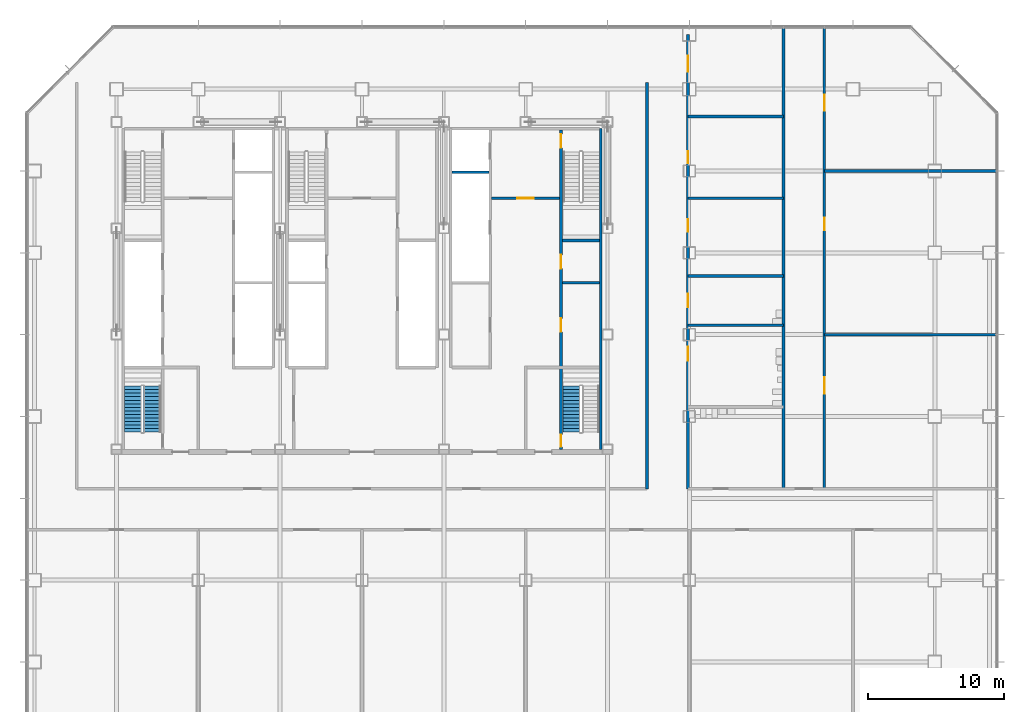
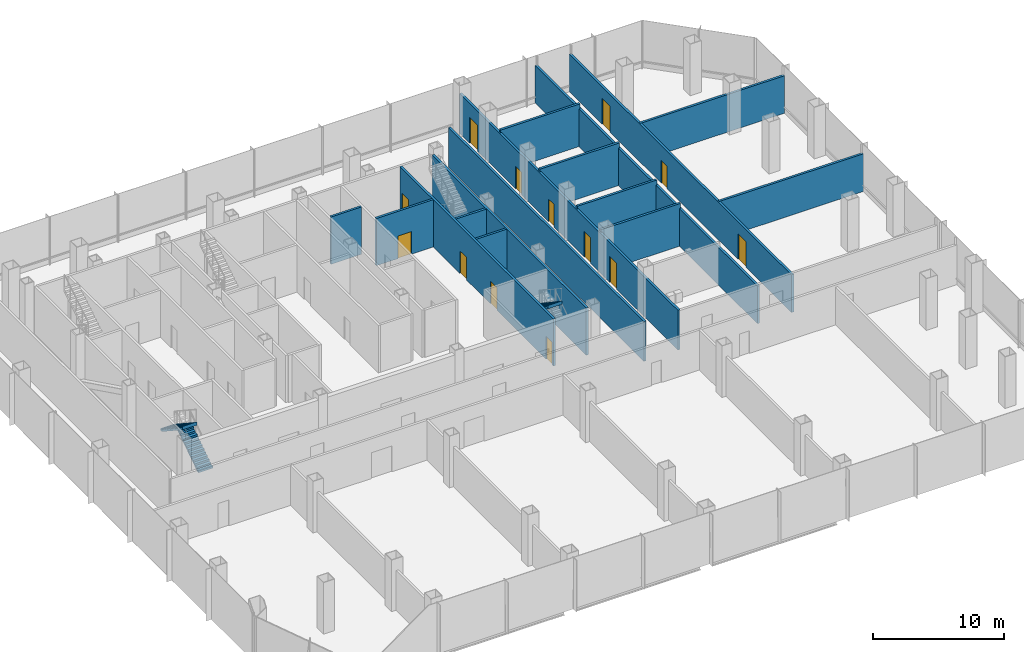
# One storey, part 25 of 33: 16 walls, 13 doors, 3 stair flights, 13 openings, 2 elements without a shape of their own.
"""IFC4 building model written with IfcOpenShell, lengths in metres."""

from ifc_helpers import new_model, si_unit, direction, frame, frame_2d, origin, place, context, subcontext, project, spatial, polyline, rectangle, outline, extrude, material, layer, layer_set, type_object, element, fill, aggregate, save


model = new_model("IFC4")

# Units and contexts
model_context = context("Model", 3, precision=1e-05, world=origin(), true_north=direction((0.0, 1.0)))
body_context = subcontext(model_context, "Body", "Model", "MODEL_VIEW")
ifc_project = project(units=[si_unit("LENGTHUNIT", "METRE"), si_unit("AREAUNIT", "SQUARE_METRE"), si_unit("VOLUMEUNIT", "CUBIC_METRE"), si_unit("PLANEANGLEUNIT", "RADIAN"), si_unit("MASSUNIT", "GRAM", prefix="KILO")], contexts=[model_context])

# Site, building, storey
site_placement = place(None, origin())
site = spatial("IfcSite", under=ifc_project, at=site_placement, CompositionType="ELEMENT")
building_placement = place(site_placement, origin())
building = spatial("IfcBuilding", under=site, at=building_placement, Name="Sorahane Residences", CompositionType="ELEMENT")
storey_placement = place(building_placement, frame((0.0, 0.0, 34.800048828125)))
storey = spatial("IfcBuildingStorey", under=building, at=storey_placement, Name="L05", CompositionType="ELEMENT", Elevation=34.800048828125)

# Walls
ifc_material_1 = material(Name="Concrete C30", Category="concrete")
ifc_layer_1 = layer(ifc_material_1, 0.199951171875)
ifc_layer_set_1 = layer_set([ifc_layer_1], Name="Core face wall 200 EI 180")
wall_type_1 = type_object("IfcWallType", Name="Core face wall 200 EI 180", PredefinedType="SOLIDWALL", material=ifc_layer_set_1)
wall_1_placement = place(storey_placement, frame((41.5, 21.60009765625, 0.0), z_axis=(0.0, 0.0, 1.0), x_axis=(0.0, 1.0, 0.0)))
element("IfcWall", 1, at=wall_1_placement, inside=storey, type_object=wall_type_1, Name="L05 core face wall", PredefinedType="SOLIDWALL", context=body_context, shape_type="SweptSolid", body=[
    extrude(rectangle(XDim=23.5, YDim=0.199951171875, at=frame_2d((11.75, 0.0))), origin(), (0.0, 0.0, 1.0), 4.39990234375),
])
ifc_material_2 = material(Name="Concrete blockwork C20 wall", Category="masonry")
ifc_layer_2 = layer(ifc_material_2, 0.199951171875)
ifc_layer_set_2 = layer_set([ifc_layer_2], Name="Corridor wall 200 EI 120")
wall_type_2 = type_object("IfcWallType", Name="Corridor wall 200 EI 120", PredefinedType="SOLIDWALL", material=ifc_layer_set_2)
wall_2_placement = place(storey_placement, frame((44.89990234375, 18.699951171875, 0.0), z_axis=(0.0, 0.0, 1.0), x_axis=(0.0, 1.0, 0.0)))
element("IfcWall", 2, at=wall_2_placement, inside=storey, type_object=wall_type_2, Name="L05 corridor wall", PredefinedType="SOLIDWALL", context=body_context, shape_type="SweptSolid", body=[
    extrude(rectangle(XDim=29.800048828125, YDim=0.199951171875, at=frame_2d((14.89990234375, 0.0))), origin(), (0.0, 0.0, 1.0), 3.699951171875),
])

# Wall, openings, doors
wall_3_placement = place(storey_placement, frame((47.89990234375, 18.699951171875, 0.0), z_axis=(0.0, 0.0, 1.0), x_axis=(0.0, 1.0, 0.0)))
wall_3 = element("IfcWall", 3, at=wall_3_placement, inside=storey, type_object=wall_type_2, Name="L05 corridor wall", PredefinedType="SOLIDWALL", context=body_context, shape_type="SweptSolid", body=[
    extrude(rectangle(XDim=33.300048828125, YDim=0.199951171875, at=frame_2d((16.64990234375, 0.0))), origin(), (0.0, 0.0, 1.0), 3.699951171875),
])
opening_1_placement = place(wall_3_placement, frame((9.39990234375, 0.0, 0.0)))
opening_1 = element("IfcOpeningElement", 4, at=opening_1_placement, cuts=wall_3, Name="Opening L05-08", PredefinedType="OPENING", context=body_context, shape_type="SweptSolid", body=[
    extrude(rectangle(XDim=1.0, YDim=2.39990234375, at=frame_2d((0.5, 1.199951171875))), frame((0.0, 0.10986328125, 0.0), z_axis=(0.0, -1.0, 0.0), x_axis=(1.0, 0.0, 0.0)), (0.0, 0.0, 1.0), 0.219970703125),
])
opening_2_placement = place(wall_3_placement, frame((13.300048828125, 0.0, 0.0)))
opening_2 = element("IfcOpeningElement", 5, at=opening_2_placement, cuts=wall_3, Name="Opening L05-09", PredefinedType="OPENING", context=body_context, shape_type="SweptSolid", body=[
    extrude(rectangle(XDim=1.0, YDim=2.39990234375, at=frame_2d((0.5, 1.199951171875))), frame((0.0, 0.10986328125, 0.0), z_axis=(0.0, -1.0, 0.0), x_axis=(1.0, 0.0, 0.0)), (0.0, 0.0, 1.0), 0.219970703125),
])
opening_3_placement = place(wall_3_placement, frame((18.860107421875, 0.0, 0.0)))
opening_3 = element("IfcOpeningElement", 6, at=opening_3_placement, cuts=wall_3, Name="Opening L05-10", PredefinedType="OPENING", context=body_context, shape_type="SweptSolid", body=[
    extrude(rectangle(XDim=0.89990234375, YDim=2.10009765625, at=frame_2d((0.449951171875, 1.050048828125))), frame((0.0, 0.10986328125, 0.0), z_axis=(0.0, -1.0, 0.0), x_axis=(1.0, 0.0, 0.0)), (0.0, 0.0, 1.0), 0.219970703125),
])
opening_4_placement = place(wall_3_placement, frame((23.85009765625, 0.0, 0.0)))
opening_4 = element("IfcOpeningElement", 7, at=opening_4_placement, cuts=wall_3, Name="Opening L05-11", PredefinedType="OPENING", context=body_context, shape_type="SweptSolid", body=[
    extrude(rectangle(XDim=0.89990234375, YDim=2.10009765625, at=frame_2d((0.449951171875, 1.050048828125))), frame((0.0, 0.10986328125, 0.0), z_axis=(0.0, -1.0, 0.0), x_axis=(1.0, 0.0, 0.0)), (0.0, 0.0, 1.0), 0.219970703125),
])
opening_5_placement = place(wall_3_placement, frame((30.56005859375, 0.0, 0.0)))
opening_5 = element("IfcOpeningElement", 8, at=opening_5_placement, cuts=wall_3, Name="Opening L05-12", PredefinedType="OPENING", context=body_context, shape_type="SweptSolid", body=[
    extrude(rectangle(XDim=1.199951171875, YDim=2.39990234375, at=frame_2d((0.60009765625, 1.199951171875))), frame((0.0, 0.10986328125, 0.0), z_axis=(0.0, -1.0, 0.0), x_axis=(1.0, 0.0, 0.0)), (0.0, 0.0, 1.0), 0.219970703125),
])
ifc_material_3 = material(Name="Steel", Category="steel")
door_type_1 = type_object("IfcDoorType", Name="Plant door 1200x2400 FD60", OperationType="NOTDEFINED", PredefinedType="DOOR", material=ifc_material_3)
door_1_placement = place(opening_5_placement, frame((1.199951171875, 0.0, 0.0), z_axis=(0.0, 0.0, 1.0), x_axis=(-1.0, 0.0, 0.0)))
door_1 = element("IfcDoor", 9, at=door_1_placement, inside=storey, type_object=door_type_1, Name="Plant door L05-12", OperationType="SINGLE_SWING_LEFT", OverallHeight=2.39990234375, OverallWidth=1.199951171875, PredefinedType="DOOR", context=body_context, shape_type="SweptSolid", body=[
    extrude(rectangle(XDim=1.199951171875, YDim=2.39990234375, at=frame_2d((0.60009765625, 1.199951171875))), frame((0.0, 0.02490234375, 0.0), z_axis=(0.0, -1.0, 0.0), x_axis=(1.0, 0.0, 0.0)), (0.0, 0.0, 1.0), 0.050048828125),
])
fill(opening_5, door_1)
ifc_material_4 = material(Name="Timber veneered fire door", Category="wood")
door_type_2 = type_object("IfcDoorType", Name="Room door 1000x2400 FD30", OperationType="NOTDEFINED", PredefinedType="DOOR", material=ifc_material_4)
door_2_placement = place(opening_1_placement, frame((1.0, 0.0, 0.0), z_axis=(0.0, 0.0, 1.0), x_axis=(-1.0, 0.0, 0.0)))
door_2 = element("IfcDoor", 10, at=door_2_placement, inside=storey, type_object=door_type_2, Name="Room door L05-08", OperationType="SINGLE_SWING_RIGHT", OverallHeight=2.39990234375, OverallWidth=1.0, PredefinedType="DOOR", context=body_context, shape_type="SweptSolid", body=[
    extrude(rectangle(XDim=1.0, YDim=2.39990234375, at=frame_2d((0.5, 1.199951171875))), frame((0.0, 0.02490234375, 0.0), z_axis=(0.0, -1.0, 0.0), x_axis=(1.0, 0.0, 0.0)), (0.0, 0.0, 1.0), 0.050048828125),
])
fill(opening_1, door_2)
door_3_placement = place(opening_2_placement, frame((1.0, 0.0, 0.0), z_axis=(0.0, 0.0, 1.0), x_axis=(-1.0, 0.0, 0.0)))
door_3 = element("IfcDoor", 11, at=door_3_placement, inside=storey, type_object=door_type_2, Name="Room door L05-09", OperationType="SINGLE_SWING_RIGHT", OverallHeight=2.39990234375, OverallWidth=1.0, PredefinedType="DOOR", context=body_context, shape_type="SweptSolid", body=[
    extrude(rectangle(XDim=1.0, YDim=2.39990234375, at=frame_2d((0.5, 1.199951171875))), frame((0.0, 0.02490234375, 0.0), z_axis=(0.0, -1.0, 0.0), x_axis=(1.0, 0.0, 0.0)), (0.0, 0.0, 1.0), 0.050048828125),
])
fill(opening_2, door_3)
ifc_material_5 = material(Name="Timber veneered fire door", Category="wood")
door_type_3 = type_object("IfcDoorType", Name="Service door 900x2100 FD30", OperationType="NOTDEFINED", PredefinedType="DOOR", material=ifc_material_5)
door_4_placement = place(opening_3_placement, frame((0.89990234375, 0.0, 0.0), z_axis=(0.0, 0.0, 1.0), x_axis=(-1.0, 0.0, 0.0)))
door_4 = element("IfcDoor", 12, at=door_4_placement, inside=storey, type_object=door_type_3, Name="Service door L05-10", OperationType="SINGLE_SWING_RIGHT", OverallHeight=2.10009765625, OverallWidth=0.89990234375, PredefinedType="DOOR", context=body_context, shape_type="SweptSolid", body=[
    extrude(rectangle(XDim=0.89990234375, YDim=2.10009765625, at=frame_2d((0.449951171875, 1.050048828125))), frame((0.0, 0.02490234375, 0.0), z_axis=(0.0, -1.0, 0.0), x_axis=(1.0, 0.0, 0.0)), (0.0, 0.0, 1.0), 0.050048828125),
])
fill(opening_3, door_4)
door_5_placement = place(opening_4_placement, frame((0.89990234375, 0.0, 0.0), z_axis=(0.0, 0.0, 1.0), x_axis=(-1.0, 0.0, 0.0)))
door_5 = element("IfcDoor", 13, at=door_5_placement, inside=storey, type_object=door_type_3, Name="Service door L05-11", OperationType="SINGLE_SWING_LEFT", OverallHeight=2.10009765625, OverallWidth=0.89990234375, PredefinedType="DOOR", context=body_context, shape_type="SweptSolid", body=[
    extrude(rectangle(XDim=0.89990234375, YDim=2.10009765625, at=frame_2d((0.449951171875, 1.050048828125))), frame((0.0, 0.02490234375, 0.0), z_axis=(0.0, -1.0, 0.0), x_axis=(1.0, 0.0, 0.0)), (0.0, 0.0, 1.0), 0.050048828125),
])
fill(opening_4, door_5)

# Wall
wall_4_placement = place(storey_placement, frame((54.89990234375, 18.699951171875, 0.0), z_axis=(0.0, 0.0, 1.0), x_axis=(0.0, 1.0, 0.0)))
element("IfcWall", 14, at=wall_4_placement, inside=storey, type_object=wall_type_2, Name="L05 corridor wall", PredefinedType="SOLIDWALL", context=body_context, shape_type="SweptSolid", body=[
    extrude(rectangle(XDim=33.900146484375, YDim=0.199951171875, at=frame_2d((16.9501953125, 0.0))), origin(), (0.0, 0.0, 1.0), 3.5),
])

# Wall, openings, doors
wall_5_placement = place(storey_placement, frame((57.89990234375, 18.699951171875, 0.0), z_axis=(0.0, 0.0, 1.0), x_axis=(0.0, 1.0, 0.0)))
wall_5 = element("IfcWall", 15, at=wall_5_placement, inside=storey, type_object=wall_type_2, Name="L05 corridor wall", PredefinedType="SOLIDWALL", context=body_context, shape_type="SweptSolid", body=[
    extrude(rectangle(XDim=33.900146484375, YDim=0.199951171875, at=frame_2d((16.9501953125, 0.0))), origin(), (0.0, 0.0, 1.0), 3.5),
])
opening_6_placement = place(wall_5_placement, frame((6.969970703125, 0.0, 0.0)))
opening_6 = element("IfcOpeningElement", 16, at=opening_6_placement, cuts=wall_5, Name="Opening L05-14", PredefinedType="OPENING", context=body_context, shape_type="SweptSolid", body=[
    extrude(rectangle(XDim=1.199951171875, YDim=2.39990234375, at=frame_2d((0.60009765625, 1.199951171875))), frame((0.0, 0.10986328125, 0.0), z_axis=(0.0, -1.0, 0.0), x_axis=(1.0, 0.0, 0.0)), (0.0, 0.0, 1.0), 0.219970703125),
])
opening_7_placement = place(wall_5_placement, frame((18.969970703125, 0.0, 0.0)))
opening_7 = element("IfcOpeningElement", 17, at=opening_7_placement, cuts=wall_5, Name="Opening L05-15", PredefinedType="OPENING", context=body_context, shape_type="SweptSolid", body=[
    extrude(rectangle(XDim=0.89990234375, YDim=2.10009765625, at=frame_2d((0.449951171875, 1.050048828125))), frame((0.0, 0.10986328125, 0.0), z_axis=(0.0, -1.0, 0.0), x_axis=(1.0, 0.0, 0.0)), (0.0, 0.0, 1.0), 0.219970703125),
])
opening_8_placement = place(wall_5_placement, frame((27.699951171875, 0.0, 0.0)))
opening_8 = element("IfcOpeningElement", 18, at=opening_8_placement, cuts=wall_5, Name="Opening L05-16", PredefinedType="OPENING", context=body_context, shape_type="SweptSolid", body=[
    extrude(rectangle(XDim=1.199951171875, YDim=2.39990234375, at=frame_2d((0.60009765625, 1.199951171875))), frame((0.0, 0.10986328125, 0.0), z_axis=(0.0, -1.0, 0.0), x_axis=(1.0, 0.0, 0.0)), (0.0, 0.0, 1.0), 0.219970703125),
])
door_6_placement = place(opening_6_placement, frame((1.199951171875, 0.0, 0.0), z_axis=(0.0, 0.0, 1.0), x_axis=(-1.0, 0.0, 0.0)))
door_6 = element("IfcDoor", 19, at=door_6_placement, inside=storey, type_object=door_type_1, Name="Plant door L05-14", OperationType="SINGLE_SWING_RIGHT", OverallHeight=2.39990234375, OverallWidth=1.199951171875, PredefinedType="DOOR", context=body_context, shape_type="SweptSolid", body=[
    extrude(rectangle(XDim=1.199951171875, YDim=2.39990234375, at=frame_2d((0.60009765625, 1.199951171875))), frame((0.0, 0.02490234375, 0.0), z_axis=(0.0, -1.0, 0.0), x_axis=(1.0, 0.0, 0.0)), (0.0, 0.0, 1.0), 0.050048828125),
])
fill(opening_6, door_6)
door_7_placement = place(opening_8_placement, frame((1.199951171875, 0.0, 0.0), z_axis=(0.0, 0.0, 1.0), x_axis=(-1.0, 0.0, 0.0)))
door_7 = element("IfcDoor", 20, at=door_7_placement, inside=storey, type_object=door_type_1, Name="Plant door L05-16", OperationType="SINGLE_SWING_LEFT", OverallHeight=2.39990234375, OverallWidth=1.199951171875, PredefinedType="DOOR", context=body_context, shape_type="SweptSolid", body=[
    extrude(rectangle(XDim=1.199951171875, YDim=2.39990234375, at=frame_2d((0.60009765625, 1.199951171875))), frame((0.0, 0.02490234375, 0.0), z_axis=(0.0, -1.0, 0.0), x_axis=(1.0, 0.0, 0.0)), (0.0, 0.0, 1.0), 0.050048828125),
])
fill(opening_8, door_7)
door_8_placement = place(opening_7_placement, frame((0.89990234375, 0.0, 0.0), z_axis=(0.0, 0.0, 1.0), x_axis=(-1.0, 0.0, 0.0)))
door_8 = element("IfcDoor", 21, at=door_8_placement, inside=storey, type_object=door_type_3, Name="Service door L05-15", OperationType="SINGLE_SWING_RIGHT", OverallHeight=2.10009765625, OverallWidth=0.89990234375, PredefinedType="DOOR", context=body_context, shape_type="SweptSolid", body=[
    extrude(rectangle(XDim=0.89990234375, YDim=2.10009765625, at=frame_2d((0.449951171875, 1.050048828125))), frame((0.0, 0.02490234375, 0.0), z_axis=(0.0, -1.0, 0.0), x_axis=(1.0, 0.0, 0.0)), (0.0, 0.0, 1.0), 0.050048828125),
])
fill(opening_7, door_8)

# Walls
wall_6_placement = place(storey_placement, frame((57.89990234375, 30.0, 0.0), z_axis=(0.0, 0.0, 1.0), x_axis=(1.0, 0.0, 0.0)))
element("IfcWall", 22, at=wall_6_placement, inside=storey, type_object=wall_type_2, Name="L05 corridor wall", PredefinedType="SOLIDWALL", context=body_context, shape_type="SweptSolid", body=[
    extrude(rectangle(XDim=12.7001953125, YDim=0.199951171875, at=frame_2d((6.35009765625, 0.0))), origin(), (0.0, 0.0, 1.0), 3.5),
])
for number, where, z_axis, x_axis, name in (
    (23, (47.89990234375, 30.699951171875, 0.0), (0.0, 0.0, 1.0), (1.0, 0.0, 0.0), "L05 corridor wall"),
    (24, (47.89990234375, 34.300048828125, 0.0), (0.0, 0.0, 1.0), (1.0, 0.0, 0.0), "L05 corridor wall"),
    (25, (47.89990234375, 40.0, 0.0), (0.0, 0.0, 1.0), (1.0, 0.0, 0.0), "L05 corridor wall"),
):
    element("IfcWall", number, at=place(storey_placement, frame(where, z_axis=z_axis, x_axis=x_axis)), inside=storey, type_object=wall_type_2, Name=name, PredefinedType="SOLIDWALL", context=body_context, shape_type="SweptSolid", body=[
        extrude(rectangle(XDim=7.0, YDim=0.199951171875, at=frame_2d((3.5, 0.0))), origin(), (0.0, 0.0, 1.0), 3.949951171875),
    ])
wall_7_placement = place(storey_placement, frame((57.89990234375, 42.0, 0.0), z_axis=(0.0, 0.0, 1.0), x_axis=(1.0, 0.0, 0.0)))
element("IfcWall", 26, at=wall_7_placement, inside=storey, type_object=wall_type_2, Name="L05 corridor wall", PredefinedType="SOLIDWALL", context=body_context, shape_type="SweptSolid", body=[
    extrude(rectangle(XDim=12.7001953125, YDim=0.199951171875, at=frame_2d((6.35009765625, 0.0))), origin(), (0.0, 0.0, 1.0), 3.5),
])
wall_8_placement = place(storey_placement, frame((47.89990234375, 46.0, 0.0), z_axis=(0.0, 0.0, 1.0), x_axis=(1.0, 0.0, 0.0)))
element("IfcWall", 27, at=wall_8_placement, inside=storey, type_object=wall_type_2, Name="L05 corridor wall", PredefinedType="SOLIDWALL", context=body_context, shape_type="SweptSolid", body=[
    extrude(rectangle(XDim=7.0, YDim=0.199951171875, at=frame_2d((3.5, 0.0))), origin(), (0.0, 0.0, 1.0), 3.949951171875),
])

# Wall, opening, door
ifc_material_6 = material(Name="Concrete C30", Category="concrete")
ifc_layer_3 = layer(ifc_material_6, 0.199951171875)
ifc_layer_set_3 = layer_set([ifc_layer_3], Name="Front room wall 200 EI 120")
wall_type_3 = type_object("IfcWallType", Name="Front room wall 200 EI 120", PredefinedType="PARTITIONING", material=ifc_layer_set_3)
wall_9_placement = place(storey_placement, frame((33.5, 40.0, 0.0), z_axis=(0.0, 0.0, 1.0), x_axis=(1.0, 0.0, 0.0)))
wall_9 = element("IfcWall", 28, at=wall_9_placement, inside=storey, type_object=wall_type_3, Name="L05 front room wall", PredefinedType="PARTITIONING", context=body_context, shape_type="SweptSolid", body=[
    extrude(rectangle(XDim=5.0, YDim=0.199951171875, at=frame_2d((2.5, 0.0))), origin(), (0.0, 0.0, 1.0), 4.39990234375),
])
opening_9_placement = place(wall_9_placement, frame((1.89990234375, 0.0, 0.0)))
opening_9 = element("IfcOpeningElement", 29, at=opening_9_placement, cuts=wall_9, Name="Opening L05-C09", PredefinedType="OPENING", context=body_context, shape_type="SweptSolid", body=[
    extrude(rectangle(XDim=1.199951171875, YDim=2.10009765625, at=frame_2d((0.60009765625, 1.050048828125))), frame((0.0, 0.10986328125, 0.0), z_axis=(0.0, -1.0, 0.0), x_axis=(1.0, 0.0, 0.0)), (0.0, 0.0, 1.0), 0.219970703125),
])
ifc_material_7 = material(Name="Steel", Category="steel")
door_type_4 = type_object("IfcDoorType", Name="Front room door 1200x2100 FD120", OperationType="NOTDEFINED", PredefinedType="DOOR", material=ifc_material_7)
door_9_placement = place(opening_9_placement, frame((1.199951171875, 0.0, 0.0), z_axis=(0.0, 0.0, 1.0), x_axis=(-1.0, 0.0, 0.0)))
door_9 = element("IfcDoor", 30, at=door_9_placement, inside=storey, type_object=door_type_4, Name="Front room door Firefighting lobby FF2 front room L05", OperationType="DOUBLE_DOOR_SINGLE_SWING", OverallHeight=2.10009765625, OverallWidth=1.199951171875, PredefinedType="DOOR", context=body_context, shape_type="SweptSolid", body=[
    extrude(rectangle(XDim=1.199951171875, YDim=2.10009765625, at=frame_2d((0.60009765625, 1.050048828125))), frame((0.0, 0.02490234375, 0.0), z_axis=(0.0, -1.0, 0.0), x_axis=(1.0, 0.0, 0.0)), (0.0, 0.0, 1.0), 0.050048828125),
])
fill(opening_9, door_9)

# Walls
ifc_material_8 = material(Name="Concrete C30", Category="concrete")
ifc_layer_4 = layer(ifc_material_8, 0.199951171875)
ifc_layer_set_4 = layer_set([ifc_layer_4], Name="Lift shaft wall 200 EI 120")
wall_type_4 = type_object("IfcWallType", Name="Lift shaft wall 200 EI 120", PredefinedType="SOLIDWALL", material=ifc_layer_set_4)
wall_10_placement = place(storey_placement, frame((30.60009765625, 41.89990234375, 0.0), z_axis=(0.0, 0.0, 1.0), x_axis=(1.0, 0.0, 0.0)))
element("IfcWall", 31, at=wall_10_placement, inside=storey, type_object=wall_type_4, Name="L05 lift shaft wall", PredefinedType="SOLIDWALL", context=body_context, shape_type="SweptSolid", body=[
    extrude(rectangle(XDim=2.699951171875, YDim=0.199951171875, at=frame_2d((1.35009765625, 0.0))), origin(), (0.0, 0.0, 1.0), 4.39990234375),
])
ifc_material_9 = material(Name="Concrete C30", Category="concrete")
ifc_layer_5 = layer(ifc_material_9, 0.199951171875)
ifc_layer_set_5 = layer_set([ifc_layer_5], Name="Service room partition 200 EI 60")
wall_type_5 = type_object("IfcWallType", Name="Service room partition 200 EI 60", PredefinedType="PARTITIONING", material=ifc_layer_set_5)
wall_11_placement = place(storey_placement, frame((38.699951171875, 33.800048828125, 0.0), z_axis=(0.0, 0.0, 1.0), x_axis=(1.0, 0.0, 0.0)))
element("IfcWall", 32, at=wall_11_placement, inside=storey, type_object=wall_type_5, Name="L05 service room wall", PredefinedType="PARTITIONING", context=body_context, shape_type="SweptSolid", body=[
    extrude(rectangle(XDim=2.699951171875, YDim=0.199951171875, at=frame_2d((1.35009765625, 0.0))), origin(), (0.0, 0.0, 1.0), 4.39990234375),
])

# Wall, openings, doors
ifc_material_10 = material(Name="Concrete C30", Category="concrete")
ifc_layer_6 = layer(ifc_material_10, 0.199951171875)
ifc_layer_set_6 = layer_set([ifc_layer_6], Name="Stair enclosure wall 200 EI 120")
wall_type_6 = type_object("IfcWallType", Name="Stair enclosure wall 200 EI 120", PredefinedType="SOLIDWALL", material=ifc_layer_set_6)
wall_12_placement = place(storey_placement, frame((38.60009765625, 21.60009765625, 0.0), z_axis=(0.0, 0.0, 1.0), x_axis=(0.0, 1.0, 0.0)))
wall_12 = element("IfcWall", 33, at=wall_12_placement, inside=storey, type_object=wall_type_6, Name="L05 stair enclosure wall", PredefinedType="SOLIDWALL", context=body_context, shape_type="SweptSolid", body=[
    extrude(rectangle(XDim=23.39990234375, YDim=0.199951171875, at=frame_2d((11.699951171875, 0.0))), origin(), (0.0, 0.0, 1.0), 4.39990234375),
])
opening_10_placement = place(wall_12_placement, frame((8.60009765625, 0.0, 0.0)))
opening_10 = element("IfcOpeningElement", 34, at=opening_10_placement, cuts=wall_12, Name="Opening L05-C17", PredefinedType="OPENING", context=body_context, shape_type="SweptSolid", body=[
    extrude(rectangle(XDim=1.0, YDim=2.10009765625, at=frame_2d((0.5, 1.050048828125))), frame((0.0, 0.10986328125, 0.0), z_axis=(0.0, -1.0, 0.0), x_axis=(1.0, 0.0, 0.0)), (0.0, 0.0, 1.0), 0.219970703125),
])
opening_11_placement = place(wall_12_placement, frame((13.25, 0.0, 0.0)))
opening_11 = element("IfcOpeningElement", 35, at=opening_11_placement, cuts=wall_12, Name="Opening L05-C18", PredefinedType="OPENING", context=body_context, shape_type="SweptSolid", body=[
    extrude(rectangle(XDim=1.0, YDim=2.10009765625, at=frame_2d((0.5, 1.050048828125))), frame((0.0, 0.10986328125, 0.0), z_axis=(0.0, -1.0, 0.0), x_axis=(1.0, 0.0, 0.0)), (0.0, 0.0, 1.0), 0.219970703125),
])
opening_12_placement = place(wall_12_placement, frame((22.10009765625, 0.0, 0.0)))
opening_12 = element("IfcOpeningElement", 36, at=opening_12_placement, cuts=wall_12, Name="Opening L05-C21", PredefinedType="OPENING", context=body_context, shape_type="SweptSolid", body=[
    extrude(rectangle(XDim=1.0, YDim=2.10009765625, at=frame_2d((0.5, 1.050048828125))), frame((0.0, 0.10986328125, 0.0), z_axis=(0.0, -1.0, 0.0), x_axis=(1.0, 0.0, 0.0)), (0.0, 0.0, 1.0), 0.219970703125),
])
opening_13_placement = place(wall_12_placement, frame((0.175048828125, 0.0, 0.0)))
opening_13 = element("IfcOpeningElement", 37, at=opening_13_placement, cuts=wall_12, Name="Opening L05-C24", PredefinedType="OPENING", context=body_context, shape_type="SweptSolid", body=[
    extrude(rectangle(XDim=0.89990234375, YDim=2.10009765625, at=frame_2d((0.449951171875, 1.050048828125))), frame((0.0, 0.10986328125, 0.0), z_axis=(0.0, -1.0, 0.0), x_axis=(1.0, 0.0, 0.0)), (0.0, 0.0, 1.0), 0.219970703125),
])
ifc_material_11 = material(Name="Steel", Category="steel")
door_type_5 = type_object("IfcDoorType", Name="Service room door 1000x2100 FD60", OperationType="NOTDEFINED", PredefinedType="DOOR", material=ifc_material_11)
door_10_placement = place(opening_10_placement, frame((1.0, 0.0, 0.0), z_axis=(0.0, 0.0, 1.0), x_axis=(-1.0, 0.0, 0.0)))
door_10 = element("IfcDoor", 38, at=door_10_placement, inside=storey, type_object=door_type_5, Name="Service room door Study L05", OperationType="SINGLE_SWING_RIGHT", OverallHeight=2.10009765625, OverallWidth=1.0, PredefinedType="DOOR", context=body_context, shape_type="SweptSolid", body=[
    extrude(rectangle(XDim=1.0, YDim=2.10009765625, at=frame_2d((0.5, 1.050048828125))), frame((0.0, 0.02490234375, 0.0), z_axis=(0.0, -1.0, 0.0), x_axis=(1.0, 0.0, 0.0)), (0.0, 0.0, 1.0), 0.050048828125),
])
fill(opening_10, door_10)
door_11_placement = place(opening_11_placement, frame((1.0, 0.0, 0.0), z_axis=(0.0, 0.0, 1.0), x_axis=(-1.0, 0.0, 0.0)))
door_11 = element("IfcDoor", 39, at=door_11_placement, inside=storey, type_object=door_type_5, Name="Service room door Study L05", OperationType="SINGLE_SWING_LEFT", OverallHeight=2.10009765625, OverallWidth=1.0, PredefinedType="DOOR", context=body_context, shape_type="SweptSolid", body=[
    extrude(rectangle(XDim=1.0, YDim=2.10009765625, at=frame_2d((0.5, 1.050048828125))), frame((0.0, 0.02490234375, 0.0), z_axis=(0.0, -1.0, 0.0), x_axis=(1.0, 0.0, 0.0)), (0.0, 0.0, 1.0), 0.050048828125),
])
fill(opening_11, door_11)
ifc_material_12 = material(Name="Steel", Category="steel")
door_type_6 = type_object("IfcDoorType", Name="Stair door 1000x2100 FD120", OperationType="NOTDEFINED", PredefinedType="DOOR", material=ifc_material_12)
door_12_placement = place(opening_12_placement, frame((1.0, 0.0, 0.0), z_axis=(0.0, 0.0, 1.0), x_axis=(-1.0, 0.0, 0.0)))
door_12 = element("IfcDoor", 40, at=door_12_placement, inside=storey, type_object=door_type_6, Name="Stair door S2 L05", OperationType="SINGLE_SWING_LEFT", OverallHeight=2.10009765625, OverallWidth=1.0, PredefinedType="DOOR", context=body_context, shape_type="SweptSolid", body=[
    extrude(rectangle(XDim=1.0, YDim=2.10009765625, at=frame_2d((0.5, 1.050048828125))), frame((0.0, 0.02490234375, 0.0), z_axis=(0.0, -1.0, 0.0), x_axis=(1.0, 0.0, 0.0)), (0.0, 0.0, 1.0), 0.050048828125),
])
fill(opening_12, door_12)
ifc_material_13 = material(Name="Steel", Category="steel")
door_type_7 = type_object("IfcDoorType", Name="Stair door 900x2100 FD120", OperationType="NOTDEFINED", PredefinedType="DOOR", material=ifc_material_13)
door_13_placement = place(opening_13_placement, frame((0.89990234375, 0.0, 0.0), z_axis=(0.0, 0.0, 1.0), x_axis=(-1.0, 0.0, 0.0)))
door_13 = element("IfcDoor", 41, at=door_13_placement, inside=storey, type_object=door_type_7, Name="Stair door S5 L05", OperationType="SINGLE_SWING_LEFT", OverallHeight=2.10009765625, OverallWidth=0.89990234375, PredefinedType="DOOR", context=body_context, shape_type="SweptSolid", body=[
    extrude(rectangle(XDim=0.89990234375, YDim=2.10009765625, at=frame_2d((0.449951171875, 1.050048828125))), frame((0.0, 0.02490234375, 0.0), z_axis=(0.0, -1.0, 0.0), x_axis=(1.0, 0.0, 0.0)), (0.0, 0.0, 1.0), 0.050048828125),
])
fill(opening_13, door_13)

# Wall
wall_13_placement = place(storey_placement, frame((38.699951171875, 36.89990234375, 0.0), z_axis=(0.0, 0.0, 1.0), x_axis=(1.0, 0.0, 0.0)))
element("IfcWall", 42, at=wall_13_placement, inside=storey, type_object=wall_type_6, Name="L05 stair enclosure wall", PredefinedType="SOLIDWALL", context=body_context, shape_type="SweptSolid", body=[
    extrude(rectangle(XDim=2.699951171875, YDim=0.199951171875, at=frame_2d((1.35009765625, 0.0))), origin(), (0.0, 0.0, 1.0), 4.39990234375),
])

# Stair, stair flights
ifc_material_14 = material(Name="Concrete C40", Category="concrete")
stair_type = type_object("IfcStairType", Name="Dog-leg stair 1250 Concrete C40", PredefinedType="HALF_TURN_STAIR", material=ifc_material_14)
stair_1_placement = place(storey_placement, origin())
stair_1 = element("IfcStair", 43, at=stair_1_placement, inside=storey, type_object=stair_type, Name="L05 Stair S4", PredefinedType="HALF_TURN_STAIR")
ifc_material_15 = material(Name="Concrete C40", Category="concrete")
stair_flight_type = type_object("IfcStairFlightType", Name="Stair flight 1250 Concrete C40", PredefinedType="STRAIGHT", material=ifc_material_15)
stair_flight_1_placement = place(storey_placement, frame((8.625, 22.85009765625, 0.0), z_axis=(0.0, 0.0, 1.0), x_axis=(0.0, 1.0, 0.0)))
stair_flight_1 = element("IfcStairFlight", 44, at=stair_flight_1_placement, type_object=stair_flight_type, Name="S4 flight 1", NumberOfRisers=14, NumberOfTreads=13, PredefinedType="STRAIGHT", RiserHeight=0.171428571, TreadLength=0.26, context=body_context, shape_type="SweptSolid", body=[
    extrude(outline(polyline([(-0.00146484375, 0.0), (-0.00146484375, 0.17138671875), (0.0, 0.17138671875), (0.260009765625, 0.17138671875), (0.260009765625, 0.3427734375), (0.52001953125, 0.3427734375), (0.52001953125, 0.514404296875), (0.780029296875, 0.514404296875), (0.780029296875, 0.685791015625), (1.0400390625, 0.685791015625), (1.0400390625, 0.857177734375), (1.300048828125, 0.857177734375), (1.300048828125, 1.028564453125), (1.56005859375, 1.028564453125), (1.56005859375, 1.199951171875), (1.820068359375, 1.199951171875), (1.820068359375, 1.371337890625), (2.080078125, 1.371337890625), (2.080078125, 1.54296875), (2.340087890625, 1.54296875), (2.340087890625, 1.71435546875), (2.60009765625, 1.71435546875), (2.60009765625, 1.8857421875), (2.860107421875, 1.8857421875), (2.860107421875, 2.05712890625), (3.1201171875, 2.05712890625), (3.1201171875, 2.228515625), (3.3798828125, 2.228515625), (3.3798828125, 2.39990234375), (3.3798828125, 2.084716796875), (3.169189453125, 1.94580078125), (2.95849609375, 1.806640625), (2.74755859375, 1.667724609375), (2.536865234375, 1.52880859375), (2.326171875, 1.389892578125), (2.115234375, 1.250732421875), (1.904541015625, 1.11181640625), (1.693603515625, 0.972900390625), (1.48291015625, 0.833984375), (1.272216796875, 0.69482421875), (1.061279296875, 0.555908203125), (0.8505859375, 0.4169921875), (0.639892578125, 0.278076171875), (0.428955078125, 0.138916015625), (0.21826171875, 0.0), (-0.00146484375, 0.0)])), frame((0.0, 0.625, 0.0), z_axis=(0.0, -1.0, 0.0), x_axis=(1.0, 0.0, 0.0)), (0.0, 0.0, 1.0), 1.25),
])
stair_flight_2_placement = place(storey_placement, frame((7.22509765625, 26.22998046875, 2.39990234375), z_axis=(0.0, 0.0, 1.0), x_axis=(0.0, -1.0, 0.0)))
stair_flight_2 = element("IfcStairFlight", 45, at=stair_flight_2_placement, type_object=stair_flight_type, Name="S4 flight 2", NumberOfRisers=14, NumberOfTreads=13, PredefinedType="STRAIGHT", RiserHeight=0.171428571, TreadLength=0.26, context=body_context, shape_type="SweptSolid", body=[
    extrude(outline(polyline([(0.0, 0.0), (0.0, 0.17138671875), (0.260009765625, 0.17138671875), (0.260009765625, 0.3427734375), (0.52001953125, 0.3427734375), (0.52001953125, 0.514404296875), (0.780029296875, 0.514404296875), (0.780029296875, 0.685791015625), (1.0400390625, 0.685791015625), (1.0400390625, 0.857177734375), (1.300048828125, 0.857177734375), (1.300048828125, 1.028564453125), (1.56005859375, 1.028564453125), (1.56005859375, 1.199951171875), (1.820068359375, 1.199951171875), (1.820068359375, 1.371337890625), (2.080078125, 1.371337890625), (2.080078125, 1.54296875), (2.340087890625, 1.54296875), (2.340087890625, 1.71435546875), (2.60009765625, 1.71435546875), (2.60009765625, 1.8857421875), (2.860107421875, 1.8857421875), (2.860107421875, 2.05712890625), (3.1201171875, 2.05712890625), (3.1201171875, 2.228515625), (3.3798828125, 2.228515625), (3.3798828125, 2.39990234375), (3.381591796875, 2.39990234375), (3.381591796875, 2.084716796875), (3.170654296875, 1.94580078125), (2.959716796875, 1.806640625), (2.748779296875, 1.667724609375), (2.537841796875, 1.52880859375), (2.3271484375, 1.389892578125), (2.1162109375, 1.250732421875), (1.9052734375, 1.11181640625), (1.6943359375, 0.972900390625), (1.483642578125, 0.833984375), (1.272705078125, 0.69482421875), (1.061767578125, 0.555908203125), (0.850830078125, 0.4169921875), (0.639892578125, 0.278076171875), (0.42919921875, 0.138916015625), (0.21826171875, 0.0), (0.0, 0.0)])), frame((0.0, 0.625, 0.0), z_axis=(0.0, -1.0, 0.0), x_axis=(1.0, 0.0, 0.0)), (0.0, 0.0, 1.0), 1.25),
])
aggregate(stair_1, [stair_flight_1, stair_flight_2])

# Stair, stair flight
stair_2_placement = place(storey_placement, origin())
stair_2 = element("IfcStair", 46, at=stair_2_placement, inside=storey, type_object=stair_type, Name="L05 Stair S5", PredefinedType="HALF_TURN_STAIR")
stair_flight_3_placement = place(storey_placement, frame((39.375, 26.22998046875, 2.39990234375), z_axis=(0.0, 0.0, 1.0), x_axis=(0.0, -1.0, 0.0)))
stair_flight_3 = element("IfcStairFlight", 47, at=stair_flight_3_placement, type_object=stair_flight_type, Name="S5 flight 2", NumberOfRisers=14, NumberOfTreads=13, PredefinedType="STRAIGHT", RiserHeight=0.171428571, TreadLength=0.26, context=body_context, shape_type="SweptSolid", body=[
    extrude(outline(polyline([(0.0, 0.0), (0.0, 0.17138671875), (0.260009765625, 0.17138671875), (0.260009765625, 0.3427734375), (0.52001953125, 0.3427734375), (0.52001953125, 0.514404296875), (0.780029296875, 0.514404296875), (0.780029296875, 0.685791015625), (1.0400390625, 0.685791015625), (1.0400390625, 0.857177734375), (1.300048828125, 0.857177734375), (1.300048828125, 1.028564453125), (1.56005859375, 1.028564453125), (1.56005859375, 1.199951171875), (1.820068359375, 1.199951171875), (1.820068359375, 1.371337890625), (2.080078125, 1.371337890625), (2.080078125, 1.54296875), (2.340087890625, 1.54296875), (2.340087890625, 1.71435546875), (2.60009765625, 1.71435546875), (2.60009765625, 1.8857421875), (2.860107421875, 1.8857421875), (2.860107421875, 2.05712890625), (3.1201171875, 2.05712890625), (3.1201171875, 2.228515625), (3.3798828125, 2.228515625), (3.3798828125, 2.39990234375), (3.381591796875, 2.39990234375), (3.381591796875, 2.084716796875), (3.170654296875, 1.94580078125), (2.959716796875, 1.806640625), (2.748779296875, 1.667724609375), (2.537841796875, 1.52880859375), (2.3271484375, 1.389892578125), (2.1162109375, 1.250732421875), (1.9052734375, 1.11181640625), (1.6943359375, 0.972900390625), (1.483642578125, 0.833984375), (1.272705078125, 0.69482421875), (1.061767578125, 0.555908203125), (0.850830078125, 0.4169921875), (0.639892578125, 0.278076171875), (0.42919921875, 0.138916015625), (0.21826171875, 0.0), (0.0, 0.0)])), frame((0.0, 0.625, 0.0), z_axis=(0.0, -1.0, 0.0), x_axis=(1.0, 0.0, 0.0)), (0.0, 0.0, 1.0), 1.25),
])
aggregate(stair_2, [stair_flight_3])

save(model, "model.ifc")
